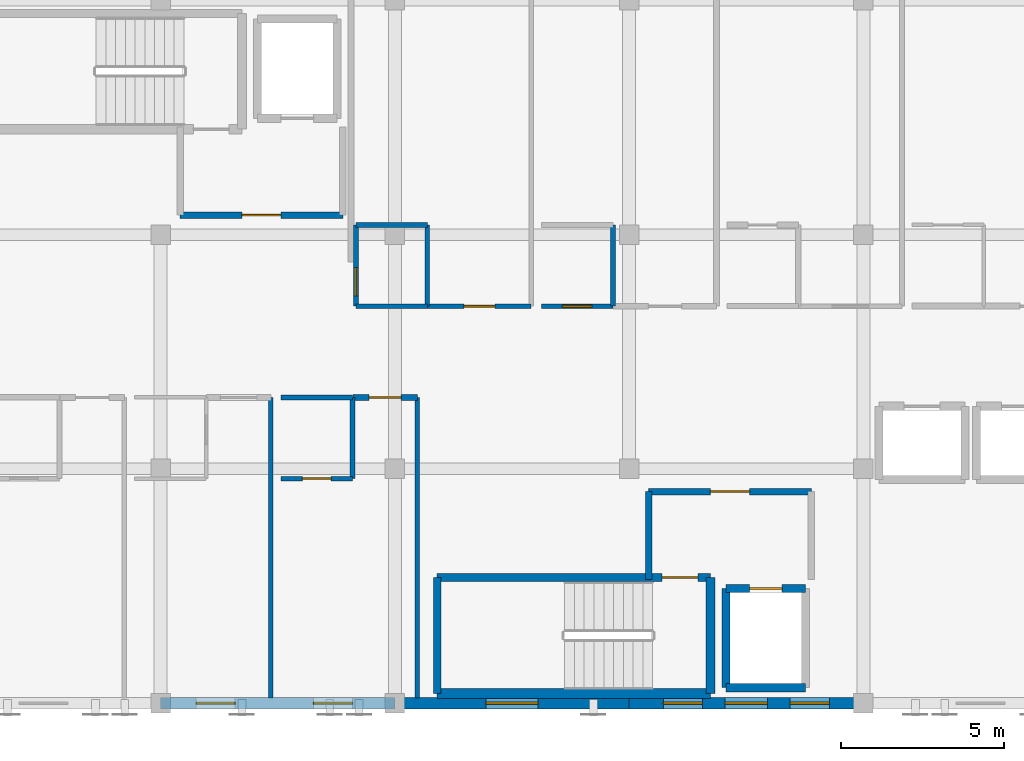
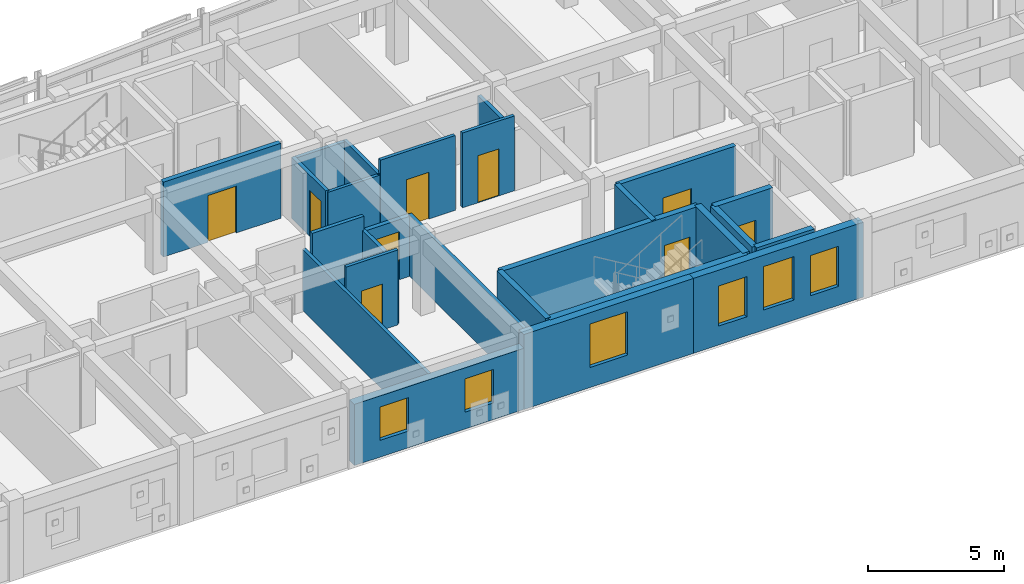
# One storey, part 40 of 51: 26 walls, 9 doors, 6 windows, 15 openings.
"""IFC4 building model written with IfcOpenShell, lengths in metres."""

from ifc_helpers import new_model, si_unit, direction, frame, frame_2d, origin, place, context, subcontext, project, spatial, rectangle, extrude, material, layer, layer_set, type_object, element, fill, save


model = new_model("IFC4")

# Units and contexts
model_context = context("Model", 3, precision=1e-05, world=origin(), true_north=direction((0.0, 1.0)))
body_context = subcontext(model_context, "Body", "Model", "MODEL_VIEW")
ifc_project = project(units=[si_unit("LENGTHUNIT", "METRE"), si_unit("AREAUNIT", "SQUARE_METRE"), si_unit("VOLUMEUNIT", "CUBIC_METRE"), si_unit("PLANEANGLEUNIT", "RADIAN"), si_unit("MASSUNIT", "GRAM", prefix="KILO")], contexts=[model_context])

# Site, building, storey
site_placement = place(None, origin())
site = spatial("IfcSite", under=ifc_project, at=site_placement, CompositionType="ELEMENT")
building_placement = place(site_placement, origin())
building = spatial("IfcBuilding", under=site, at=building_placement, Name="Carrowvane Square Congress Hotel", CompositionType="ELEMENT")
storey_placement = place(building_placement, frame((0.0, 0.0, 30.0)))
storey = spatial("IfcBuildingStorey", under=building, at=storey_placement, Name="L07", CompositionType="ELEMENT", Elevation=30.0)

# Wall, openings, windows
ifc_material_1 = material(Name="Glazed terracotta rainscreen", Category="masonry")
ifc_layer_1 = layer(ifc_material_1, 0.360107421875)
ifc_layer_set_1 = layer_set([ifc_layer_1], Name="Glazed terracotta rainscreen")
wall_type_1 = type_object("IfcWallType", Name="WL-EXT-TC360", PredefinedType="STANDARD", material=ifc_layer_set_1)
wall_1_placement = place(storey_placement, frame((83.60009765625, 91.800048828125, 0.0), z_axis=(0.0, 0.0, 1.0), x_axis=(-1.0, 0.0, 0.0)))
wall_1 = element("IfcWall", 1, at=wall_1_placement, inside=storey, type_object=wall_type_1, Name="L07 exterior facade wall 525", PredefinedType="STANDARD", context=body_context, shape_type="SweptSolid", body=[
    extrude(rectangle(XDim=7.2001953125, YDim=0.360107421875, at=frame_2d((3.60009765625, 0.0))), origin(), (0.0, 0.0, 1.0), 3.360107421875),
])
opening_1_placement = place(wall_1_placement, frame((2.949951171875, 0.0, 0.89990234375)))
opening_1 = element("IfcOpeningElement", 2, at=opening_1_placement, cuts=wall_1, Name="Opening W-29", PredefinedType="OPENING", context=body_context, shape_type="SweptSolid", body=[
    extrude(rectangle(XDim=1.300048828125, YDim=1.949951171875, at=frame_2d((0.64990234375, 0.97509765625))), frame((0.0, 0.18994140625, 0.0), z_axis=(0.0, -1.0, 0.0), x_axis=(1.0, 0.0, 0.0)), (0.0, 0.0, 1.0), 0.380126953125),
])
opening_2_placement = place(wall_1_placement, frame((1.050048828125, 0.0, 0.85009765625)))
opening_2 = element("IfcOpeningElement", 3, at=opening_2_placement, cuts=wall_1, Name="Opening W-01", PredefinedType="OPENING", context=body_context, shape_type="SweptSolid", body=[
    extrude(rectangle(XDim=1.199951171875, YDim=1.800048828125, at=frame_2d((0.60009765625, 0.89990234375))), frame((0.0, 0.18994140625, 0.0), z_axis=(0.0, -1.0, 0.0), x_axis=(1.0, 0.0, 0.0)), (0.0, 0.0, 1.0), 0.380126953125),
])
opening_3_placement = place(wall_1_placement, frame((4.949951171875, 0.0, 0.85009765625)))
opening_3 = element("IfcOpeningElement", 4, at=opening_3_placement, cuts=wall_1, Name="Opening W-01", PredefinedType="OPENING", context=body_context, shape_type="SweptSolid", body=[
    extrude(rectangle(XDim=1.199951171875, YDim=1.800048828125, at=frame_2d((0.60009765625, 0.89990234375))), frame((0.0, 0.18994140625, 0.0), z_axis=(0.0, -1.0, 0.0), x_axis=(1.0, 0.0, 0.0)), (0.0, 0.0, 1.0), 0.380126953125),
])
ifc_material_2 = material(Name="Double-glazed low-E glass", Category="glass")
window_type_1 = type_object("IfcWindowType", Name="WIN-01", PartitioningType="SINGLE_PANEL", PredefinedType="WINDOW", material=ifc_material_2)
window_1_placement = place(opening_2_placement, origin())
window_1 = element("IfcWindow", 5, at=window_1_placement, inside=storey, type_object=window_type_1, Name="L07 guest bedroom window 362", OverallHeight=1.800048828125, OverallWidth=1.199951171875, PartitioningType="SINGLE_PANEL", PredefinedType="WINDOW", context=body_context, shape_type="SweptSolid", body=[
    extrude(rectangle(XDim=1.199951171875, YDim=1.800048828125, at=frame_2d((0.60009765625, 0.89990234375))), frame((0.0, 0.030029296875, 0.0), z_axis=(0.0, -1.0, 0.0), x_axis=(1.0, 0.0, 0.0)), (0.0, 0.0, 1.0), 0.06005859375),
])
fill(opening_2, window_1)
window_2_placement = place(opening_3_placement, origin())
window_2 = element("IfcWindow", 6, at=window_2_placement, inside=storey, type_object=window_type_1, Name="L07 guest bedroom window 363", OverallHeight=1.800048828125, OverallWidth=1.199951171875, PartitioningType="SINGLE_PANEL", PredefinedType="WINDOW", context=body_context, shape_type="SweptSolid", body=[
    extrude(rectangle(XDim=1.199951171875, YDim=1.800048828125, at=frame_2d((0.60009765625, 0.89990234375))), frame((0.0, 0.030029296875, 0.0), z_axis=(0.0, -1.0, 0.0), x_axis=(1.0, 0.0, 0.0)), (0.0, 0.0, 1.0), 0.06005859375),
])
fill(opening_3, window_2)
ifc_material_3 = material(Name="Double-glazed low-E glass", Category="glass")
window_type_2 = type_object("IfcWindowType", Name="WIN-29", PartitioningType="SINGLE_PANEL", PredefinedType="WINDOW", material=ifc_material_3)
window_3_placement = place(opening_1_placement, origin())
window_3 = element("IfcWindow", 7, at=window_3_placement, inside=storey, type_object=window_type_2, Name="L07 facade window 361", OverallHeight=1.949951171875, OverallWidth=1.300048828125, PartitioningType="SINGLE_PANEL", PredefinedType="WINDOW", context=body_context, shape_type="SweptSolid", body=[
    extrude(rectangle(XDim=1.300048828125, YDim=1.949951171875, at=frame_2d((0.64990234375, 0.97509765625))), frame((0.0, 0.030029296875, 0.0), z_axis=(0.0, -1.0, 0.0), x_axis=(1.0, 0.0, 0.0)), (0.0, 0.0, 1.0), 0.06005859375),
])
fill(opening_1, window_3)

# Wall, opening, window
wall_2_placement = place(storey_placement, frame((76.39990234375, 91.800048828125, 0.0), z_axis=(0.0, 0.0, 1.0), x_axis=(-1.0, 0.0, 0.0)))
wall_2 = element("IfcWall", 8, at=wall_2_placement, inside=storey, type_object=wall_type_1, Name="L07 exterior facade wall 526", PredefinedType="STANDARD", context=body_context, shape_type="SweptSolid", body=[
    extrude(rectangle(XDim=7.199951171875, YDim=0.360107421875, at=frame_2d((3.60009765625, 0.0))), origin(), (0.0, 0.0, 1.0), 3.360107421875),
])
opening_4_placement = place(wall_2_placement, frame((2.800048828125, 0.0, 0.89990234375)))
opening_4 = element("IfcOpeningElement", 9, at=opening_4_placement, cuts=wall_2, Name="Opening W-30", PredefinedType="OPENING", context=body_context, shape_type="SweptSolid", body=[
    extrude(rectangle(XDim=1.60009765625, YDim=1.949951171875, at=frame_2d((0.800048828125, 0.97509765625))), frame((0.0, 0.18994140625, 0.0), z_axis=(0.0, -1.0, 0.0), x_axis=(1.0, 0.0, 0.0)), (0.0, 0.0, 1.0), 0.380126953125),
])
ifc_material_4 = material(Name="Double-glazed low-E glass", Category="glass")
window_type_3 = type_object("IfcWindowType", Name="WIN-30", PartitioningType="SINGLE_PANEL", PredefinedType="WINDOW", material=ifc_material_4)
window_4_placement = place(opening_4_placement, origin())
window_4 = element("IfcWindow", 10, at=window_4_placement, inside=storey, type_object=window_type_3, Name="L07 facade window 364", OverallHeight=1.949951171875, OverallWidth=1.60009765625, PartitioningType="SINGLE_PANEL", PredefinedType="WINDOW", context=body_context, shape_type="SweptSolid", body=[
    extrude(rectangle(XDim=1.60009765625, YDim=1.949951171875, at=frame_2d((0.800048828125, 0.97509765625))), frame((0.0, 0.030029296875, 0.0), z_axis=(0.0, -1.0, 0.0), x_axis=(1.0, 0.0, 0.0)), (0.0, 0.0, 1.0), 0.06005859375),
])
fill(opening_4, window_4)

# Wall, openings, windows
wall_3_placement = place(storey_placement, frame((69.199951171875, 91.800048828125, 0.0), z_axis=(0.0, 0.0, 1.0), x_axis=(-1.0, 0.0, 0.0)))
wall_3 = element("IfcWall", 11, at=wall_3_placement, inside=storey, type_object=wall_type_1, Name="L07 exterior facade wall 527", PredefinedType="STANDARD", context=body_context, shape_type="SweptSolid", body=[
    extrude(rectangle(XDim=7.199951171875, YDim=0.360107421875, at=frame_2d((3.60009765625, 0.0))), origin(), (0.0, 0.0, 1.0), 2.7451171875),
])
opening_5_placement = place(wall_3_placement, frame((1.304931640625, 0.0, 0.75)))
opening_5 = element("IfcOpeningElement", 12, at=opening_5_placement, cuts=wall_3, Name="Opening W-01", PredefinedType="OPENING", context=body_context, shape_type="SweptSolid", body=[
    extrude(rectangle(XDim=1.199951171875, YDim=1.5, at=frame_2d((0.60009765625, 0.75))), frame((0.0, 0.18994140625, 0.0), z_axis=(0.0, -1.0, 0.0), x_axis=(1.0, 0.0, 0.0)), (0.0, 0.0, 1.0), 0.380126953125),
])
opening_6_placement = place(wall_3_placement, frame((4.905029296875, 0.0, 0.75)))
opening_6 = element("IfcOpeningElement", 13, at=opening_6_placement, cuts=wall_3, Name="Opening W-01", PredefinedType="OPENING", context=body_context, shape_type="SweptSolid", body=[
    extrude(rectangle(XDim=1.199951171875, YDim=1.5, at=frame_2d((0.60009765625, 0.75))), frame((0.0, 0.18994140625, 0.0), z_axis=(0.0, -1.0, 0.0), x_axis=(1.0, 0.0, 0.0)), (0.0, 0.0, 1.0), 0.380126953125),
])
window_5_placement = place(opening_5_placement, origin())
window_5 = element("IfcWindow", 14, at=window_5_placement, inside=storey, type_object=window_type_1, Name="L07 facade window 366", OverallHeight=1.5, OverallWidth=1.199951171875, PartitioningType="SINGLE_PANEL", PredefinedType="WINDOW", context=body_context, shape_type="SweptSolid", body=[
    extrude(rectangle(XDim=1.199951171875, YDim=1.5, at=frame_2d((0.60009765625, 0.75))), frame((0.0, 0.030029296875, 0.0), z_axis=(0.0, -1.0, 0.0), x_axis=(1.0, 0.0, 0.0)), (0.0, 0.0, 1.0), 0.06005859375),
])
fill(opening_5, window_5)
window_6_placement = place(opening_6_placement, origin())
window_6 = element("IfcWindow", 15, at=window_6_placement, inside=storey, type_object=window_type_1, Name="L07 split-bay facade window WIN-L07-0366-1", OverallHeight=1.5, OverallWidth=1.199951171875, PartitioningType="SINGLE_PANEL", PredefinedType="WINDOW", context=body_context, shape_type="SweptSolid", body=[
    extrude(rectangle(XDim=1.199951171875, YDim=1.5, at=frame_2d((0.60009765625, 0.75))), frame((0.0, 0.030029296875, 0.0), z_axis=(0.0, -1.0, 0.0), x_axis=(1.0, 0.0, 0.0)), (0.0, 0.0, 1.0), 0.06005859375),
])
fill(opening_6, window_6)

# Wall
ifc_material_5 = material(Name="Acoustic gypsum board", Category="gypsum")
ifc_layer_2 = layer(ifc_material_5, 0.155029296875)
ifc_layer_set_2 = layer_set([ifc_layer_2], Name="Acoustic gypsum board")
wall_type_2 = type_object("IfcWallType", Name="WL-FIR-155", PredefinedType="PARTITIONING", material=ifc_layer_set_2)
wall_4_placement = place(storey_placement, frame((65.699951171875, 101.199951171875, 0.0), z_axis=(0.0, 0.0, 1.0), x_axis=(1.0, 0.0, 0.0)))
element("IfcWall", 16, at=wall_4_placement, inside=storey, type_object=wall_type_2, Name="L07 En-suite Bathroom 0706 partition", PredefinedType="PARTITIONING", context=body_context, shape_type="SweptSolid", body=[
    extrude(rectangle(XDim=2.199951171875, YDim=0.155029296875, at=frame_2d((1.10009765625, 0.0))), origin(), (0.0, 0.0, 1.0), 3.360107421875),
])

# Wall, opening, door
wall_5_placement = place(storey_placement, frame((68.0, 104.0, 0.0), z_axis=(0.0, 0.0, 1.0), x_axis=(0.0, 1.0, 0.0)))
wall_5 = element("IfcWall", 17, at=wall_5_placement, inside=storey, type_object=wall_type_2, Name="L07 En-suite Bathroom 0713 partition", PredefinedType="PARTITIONING", context=body_context, shape_type="SweptSolid", body=[
    extrude(rectangle(XDim=2.5, YDim=0.155029296875, at=frame_2d((1.25, 0.0))), origin(), (0.0, 0.0, 1.0), 2.7451171875),
])
opening_7_placement = place(wall_5_placement, frame((0.31494140625, 0.0, 0.0)))
opening_7 = element("IfcOpeningElement", 18, at=opening_7_placement, cuts=wall_5, Name="Opening ID-15", PredefinedType="OPENING", context=body_context, shape_type="SweptSolid", body=[
    extrude(rectangle(XDim=0.8701171875, YDim=2.070068359375, at=frame_2d((0.43505859375, 1.03515625))), frame((0.0, 0.08740234375, 0.0), z_axis=(0.0, -1.0, 0.0), x_axis=(1.0, 0.0, 0.0)), (0.0, 0.0, 1.0), 0.175048828125),
])
ifc_material_6 = material(Name="European oak timber", Category="wood")
door_type_1 = type_object("IfcDoorType", Name="DR-INT-0870x2070", OperationType="NOTDEFINED", PredefinedType="DOOR", material=ifc_material_6)
door_1_placement = place(opening_7_placement, origin())
door_1 = element("IfcDoor", 19, at=door_1_placement, inside=storey, type_object=door_type_1, Name="L07 En-suite Bathroom 0713 door", OperationType="SINGLE_SWING_LEFT", OverallHeight=2.070068359375, OverallWidth=0.8701171875, PredefinedType="DOOR", context=body_context, shape_type="SweptSolid", body=[
    extrude(rectangle(XDim=0.8701171875, YDim=2.070068359375, at=frame_2d((0.43505859375, 1.03515625))), frame((0.0, 0.02490234375, 0.0), z_axis=(0.0, -1.0, 0.0), x_axis=(1.0, 0.0, 0.0)), (0.0, 0.0, 1.0), 0.050048828125),
])
fill(opening_7, door_1)

ifc_material_7 = material(Name="Acoustic gypsum board", Category="gypsum")
ifc_layer_3 = layer(ifc_material_7, 0.18505859375)
ifc_layer_set_3 = layer_set([ifc_layer_3], Name="Acoustic gypsum board")
wall_type_3 = type_object("IfcWallType", Name="WL-FIR-185", PredefinedType="PARTITIONING", material=ifc_layer_set_3)
wall_6_placement = place(storey_placement, frame((67.909912109375, 101.199951171875, 0.0), z_axis=(0.0, 0.0, 1.0), x_axis=(1.0, 0.0, 0.0)))
wall_6 = element("IfcWall", 20, at=wall_6_placement, inside=storey, type_object=wall_type_3, Name="L07 Hotel Guest Bedroom 0706 partition", PredefinedType="PARTITIONING", context=body_context, shape_type="SweptSolid", body=[
    extrude(rectangle(XDim=1.97998046875, YDim=0.18505859375, at=frame_2d((0.989990234375, 0.0))), origin(), (0.0, 0.0, 1.0), 2.695068359375),
])
opening_8_placement = place(wall_6_placement, frame((0.5, 0.0, 0.0)))
opening_8 = element("IfcOpeningElement", 21, at=opening_8_placement, cuts=wall_6, Name="Opening FD-07", PredefinedType="OPENING", context=body_context, shape_type="SweptSolid", body=[
    extrude(rectangle(XDim=0.97998046875, YDim=2.14990234375, at=frame_2d((0.489990234375, 1.074951171875))), frame((0.0, 0.1025390625, 0.0), z_axis=(0.0, -1.0, 0.0), x_axis=(1.0, 0.0, 0.0)), (0.0, 0.0, 1.0), 0.205078125),
])
ifc_material_8 = material(Name="European oak timber", Category="wood")
door_type_2 = type_object("IfcDoorType", Name="DR-FD30-0980x2150", OperationType="NOTDEFINED", PredefinedType="DOOR", material=ifc_material_8)
door_2_placement = place(opening_8_placement, origin())
door_2 = element("IfcDoor", 22, at=door_2_placement, inside=storey, type_object=door_type_2, Name="L07 Hotel Guest Bedroom 0706 entrance door", OperationType="SINGLE_SWING_RIGHT", OverallHeight=2.14990234375, OverallWidth=0.97998046875, PredefinedType="DOOR", context=body_context, shape_type="SweptSolid", body=[
    extrude(rectangle(XDim=0.97998046875, YDim=2.14990234375, at=frame_2d((0.489990234375, 1.074951171875))), frame((0.0, 0.02490234375, 0.0), z_axis=(0.0, -1.0, 0.0), x_axis=(1.0, 0.0, 0.0)), (0.0, 0.0, 1.0), 0.050048828125),
])
fill(opening_8, door_2)

ifc_material_9 = material(Name="Acoustic gypsum board", Category="gypsum")
ifc_layer_4 = layer(ifc_material_9, 0.205078125)
ifc_layer_set_4 = layer_set([ifc_layer_4], Name="Acoustic gypsum board")
wall_type_4 = type_object("IfcWallType", Name="WL-FIR-205", PredefinedType="PARTITIONING", material=ifc_layer_set_4)
wall_7_placement = place(storey_placement, frame((62.60009765625, 106.800048828125, 0.0), z_axis=(0.0, 0.0, 1.0), x_axis=(1.0, 0.0, 0.0)))
wall_7 = element("IfcWall", 23, at=wall_7_placement, inside=storey, type_object=wall_type_4, Name="L07 Firefighting Lobby C1 wall south", PredefinedType="PARTITIONING", context=body_context, shape_type="SweptSolid", body=[
    extrude(rectangle(XDim=5.0, YDim=0.205078125, at=frame_2d((2.5, 0.0))), origin(), (0.0, 0.0, 1.0), 3.360107421875),
])
opening_9_placement = place(wall_7_placement, frame((1.89990234375, 0.0, 0.0)))
opening_9 = element("IfcOpeningElement", 24, at=opening_9_placement, cuts=wall_7, Name="Opening FD-02", PredefinedType="OPENING", context=body_context, shape_type="SweptSolid", body=[
    extrude(rectangle(XDim=1.199951171875, YDim=2.10009765625, at=frame_2d((0.60009765625, 1.050048828125))), frame((0.0, 0.112548828125, 0.0), z_axis=(0.0, -1.0, 0.0), x_axis=(1.0, 0.0, 0.0)), (0.0, 0.0, 1.0), 0.22509765625),
])
ifc_material_10 = material(Name="European oak timber", Category="wood")
door_type_3 = type_object("IfcDoorType", Name="DR-FD60-1200x2100", OperationType="NOTDEFINED", PredefinedType="DOOR", material=ifc_material_10)
door_3_placement = place(opening_9_placement, origin())
door_3 = element("IfcDoor", 25, at=door_3_placement, inside=storey, type_object=door_type_3, Name="L07 Firefighting Lobby C1 entrance door", OperationType="SINGLE_SWING_RIGHT", OverallHeight=2.10009765625, OverallWidth=1.199951171875, PredefinedType="DOOR", context=body_context, shape_type="SweptSolid", body=[
    extrude(rectangle(XDim=1.199951171875, YDim=2.10009765625, at=frame_2d((0.60009765625, 1.050048828125))), frame((0.0, 0.02490234375, 0.0), z_axis=(0.0, -1.0, 0.0), x_axis=(1.0, 0.0, 0.0)), (0.0, 0.0, 1.0), 0.050048828125),
])
fill(opening_9, door_3)

wall_8_placement = place(storey_placement, frame((82.0, 98.300048828125, 0.0), z_axis=(0.0, 0.0, 1.0), x_axis=(-1.0, 0.0, 0.0)))
wall_8 = element("IfcWall", 26, at=wall_8_placement, inside=storey, type_object=wall_type_4, Name="L07 Firefighting Lobby C2 wall north", PredefinedType="PARTITIONING", context=body_context, shape_type="SweptSolid", body=[
    extrude(rectangle(XDim=5.0, YDim=0.205078125, at=frame_2d((2.5, 0.0))), origin(), (0.0, 0.0, 1.0), 3.360107421875),
])
opening_10_placement = place(wall_8_placement, frame((1.89990234375, 0.0, 0.0)))
opening_10 = element("IfcOpeningElement", 27, at=opening_10_placement, cuts=wall_8, Name="Opening FD-02", PredefinedType="OPENING", context=body_context, shape_type="SweptSolid", body=[
    extrude(rectangle(XDim=1.199951171875, YDim=2.10009765625, at=frame_2d((0.60009765625, 1.050048828125))), frame((0.0, 0.112548828125, 0.0), z_axis=(0.0, -1.0, 0.0), x_axis=(1.0, 0.0, 0.0)), (0.0, 0.0, 1.0), 0.22509765625),
])
door_4_placement = place(opening_10_placement, origin())
door_4 = element("IfcDoor", 28, at=door_4_placement, inside=storey, type_object=door_type_3, Name="L07 Firefighting Lobby C2 entrance door", OperationType="SINGLE_SWING_LEFT", OverallHeight=2.10009765625, OverallWidth=1.199951171875, PredefinedType="DOOR", context=body_context, shape_type="SweptSolid", body=[
    extrude(rectangle(XDim=1.199951171875, YDim=2.10009765625, at=frame_2d((0.60009765625, 1.050048828125))), frame((0.0, 0.02490234375, 0.0), z_axis=(0.0, -1.0, 0.0), x_axis=(1.0, 0.0, 0.0)), (0.0, 0.0, 1.0), 0.050048828125),
])
fill(opening_10, door_4)

# Walls
wall_9_placement = place(storey_placement, frame((77.0, 98.300048828125, 0.0), z_axis=(0.0, 0.0, 1.0), x_axis=(0.0, -1.0, 0.0)))
element("IfcWall", 29, at=wall_9_placement, inside=storey, type_object=wall_type_4, Name="L07 Firefighting Lobby C2 wall west", PredefinedType="PARTITIONING", context=body_context, shape_type="SweptSolid", body=[
    extrude(rectangle(XDim=2.699951171875, YDim=0.205078125, at=frame_2d((1.35009765625, 0.0))), origin(), (0.0, 0.0, 1.0), 3.360107421875),
])
ifc_material_11 = material(Name="Acoustic gypsum board", Category="gypsum")
ifc_layer_5 = layer(ifc_material_11, 0.1279296875)
ifc_layer_set_5 = layer_set([ifc_layer_5], Name="Acoustic gypsum board")
wall_type_5 = type_object("IfcWallType", Name="WL-PRT-128", PredefinedType="PARTITIONING", material=ifc_layer_set_5)
wall_10_placement = place(storey_placement, frame((70.199951171875, 104.0, 0.0), z_axis=(0.0, 0.0, 1.0), x_axis=(-1.0, 0.0, 0.0)))
element("IfcWall", 30, at=wall_10_placement, inside=storey, type_object=wall_type_5, Name="L07 En-suite Bathroom 0713 partition", PredefinedType="PARTITIONING", context=body_context, shape_type="SweptSolid", body=[
    extrude(rectangle(XDim=2.199951171875, YDim=0.1279296875, at=frame_2d((1.10009765625, 0.0))), origin(), (0.0, 0.0, 1.0), 2.695068359375),
])
ifc_material_12 = material(Name="Acoustic gypsum board", Category="gypsum")
ifc_layer_6 = layer(ifc_material_12, 0.137939453125)
ifc_layer_set_6 = layer_set([ifc_layer_6], Name="Acoustic gypsum board")
wall_type_6 = type_object("IfcWallType", Name="WL-PRT-138", PredefinedType="PARTITIONING", material=ifc_layer_set_6)
wall_11_placement = place(storey_placement, frame((65.389892578125, 101.199951171875, 0.0), z_axis=(0.0, 0.0, 1.0), x_axis=(0.0, -1.0, 0.0)))
element("IfcWall", 31, at=wall_11_placement, inside=storey, type_object=wall_type_6, Name="L07 Hotel Guest Bedroom 0705 partition", PredefinedType="PARTITIONING", context=body_context, shape_type="SweptSolid", body=[
    extrude(rectangle(XDim=9.239990234375, YDim=0.137939453125, at=frame_2d((4.6201171875, 0.0))), origin(), (0.0, 0.0, 1.0), 2.7451171875),
])

# Wall, opening, door
wall_12_placement = place(storey_placement, frame((67.89990234375, 98.699951171875, 0.0), z_axis=(0.0, 0.0, 1.0), x_axis=(-1.0, 0.0, 0.0)))
wall_12 = element("IfcWall", 32, at=wall_12_placement, inside=storey, type_object=wall_type_6, Name="L07 En-suite Bathroom 0706 partition", PredefinedType="PARTITIONING", context=body_context, shape_type="SweptSolid", body=[
    extrude(rectangle(XDim=2.199951171875, YDim=0.137939453125, at=frame_2d((1.10009765625, 0.0))), origin(), (0.0, 0.0, 1.0), 3.360107421875),
])
opening_11_placement = place(wall_12_placement, frame((0.659912109375, 0.0, 0.0)))
opening_11 = element("IfcOpeningElement", 33, at=opening_11_placement, cuts=wall_12, Name="Opening ID-01", PredefinedType="OPENING", context=body_context, shape_type="SweptSolid", body=[
    extrude(rectangle(XDim=0.8798828125, YDim=2.06005859375, at=frame_2d((0.43994140625, 1.030029296875))), frame((0.0, 0.078857421875, 0.0), z_axis=(0.0, -1.0, 0.0), x_axis=(1.0, 0.0, 0.0)), (0.0, 0.0, 1.0), 0.157958984375),
])
ifc_material_13 = material(Name="European oak timber", Category="wood")
door_type_4 = type_object("IfcDoorType", Name="DR-INT-0880x2060", OperationType="NOTDEFINED", PredefinedType="DOOR", material=ifc_material_13)
door_5_placement = place(opening_11_placement, origin())
door_5 = element("IfcDoor", 34, at=door_5_placement, inside=storey, type_object=door_type_4, Name="L07 En-suite Bathroom 0706 door", OperationType="SINGLE_SWING_LEFT", OverallHeight=2.06005859375, OverallWidth=0.8798828125, PredefinedType="DOOR", context=body_context, shape_type="SweptSolid", body=[
    extrude(rectangle(XDim=0.8798828125, YDim=2.06005859375, at=frame_2d((0.43994140625, 1.030029296875))), frame((0.0, 0.02490234375, 0.0), z_axis=(0.0, -1.0, 0.0), x_axis=(1.0, 0.0, 0.0)), (0.0, 0.0, 1.0), 0.050048828125),
])
fill(opening_11, door_5)

# Walls
wall_13_placement = place(storey_placement, frame((69.889892578125, 101.199951171875, 0.0), z_axis=(0.0, 0.0, 1.0), x_axis=(0.0, -1.0, 0.0)))
element("IfcWall", 35, at=wall_13_placement, inside=storey, type_object=wall_type_6, Name="L07 Hotel Guest Bedroom 0706 partition", PredefinedType="PARTITIONING", context=body_context, shape_type="SweptSolid", body=[
    extrude(rectangle(XDim=9.239990234375, YDim=0.137939453125, at=frame_2d((4.6201171875, 0.0))), origin(), (0.0, 0.0, 1.0), 2.7451171875),
])
wall_14_placement = place(storey_placement, frame((70.199951171875, 106.5, 0.0), z_axis=(0.0, 0.0, 1.0), x_axis=(0.0, -1.0, 0.0)))
element("IfcWall", 36, at=wall_14_placement, inside=storey, type_object=wall_type_6, Name="L07 En-suite Bathroom 0713 partition", PredefinedType="PARTITIONING", context=body_context, shape_type="SweptSolid", body=[
    extrude(rectangle(XDim=2.5, YDim=0.137939453125, at=frame_2d((1.25, 0.0))), origin(), (0.0, 0.0, 1.0), 2.7451171875),
])

# Wall, opening, door
wall_15_placement = place(storey_placement, frame((73.389892578125, 104.0, 0.0), z_axis=(0.0, 0.0, 1.0), x_axis=(-1.0, 0.0, 0.0)))
wall_15 = element("IfcWall", 37, at=wall_15_placement, inside=storey, type_object=wall_type_6, Name="L07 Parkview Suite 0713 partition", PredefinedType="PARTITIONING", context=body_context, shape_type="SweptSolid", body=[
    extrude(rectangle(XDim=3.179931640625, YDim=0.137939453125, at=frame_2d((1.58984375, 0.0))), origin(), (0.0, 0.0, 1.0), 3.360107421875),
])
opening_12_placement = place(wall_15_placement, frame((1.114990234375, 0.0, 0.0)))
opening_12 = element("IfcOpeningElement", 38, at=opening_12_placement, cuts=wall_15, Name="Opening FD-06", PredefinedType="OPENING", context=body_context, shape_type="SweptSolid", body=[
    extrude(rectangle(XDim=0.949951171875, YDim=2.10009765625, at=frame_2d((0.47509765625, 1.050048828125))), frame((0.0, 0.078857421875, 0.0), z_axis=(0.0, -1.0, 0.0), x_axis=(1.0, 0.0, 0.0)), (0.0, 0.0, 1.0), 0.157958984375),
])
ifc_material_14 = material(Name="European oak timber", Category="wood")
door_type_5 = type_object("IfcDoorType", Name="DR-FD30-0950x2100", OperationType="NOTDEFINED", PredefinedType="DOOR", material=ifc_material_14)
door_6_placement = place(opening_12_placement, origin())
door_6 = element("IfcDoor", 39, at=door_6_placement, inside=storey, type_object=door_type_5, Name="L07 Parkview Suite 0713 entrance door", OperationType="SINGLE_SWING_RIGHT", OverallHeight=2.10009765625, OverallWidth=0.949951171875, PredefinedType="DOOR", context=body_context, shape_type="SweptSolid", body=[
    extrude(rectangle(XDim=0.949951171875, YDim=2.10009765625, at=frame_2d((0.47509765625, 1.050048828125))), frame((0.0, 0.02490234375, 0.0), z_axis=(0.0, -1.0, 0.0), x_axis=(1.0, 0.0, 0.0)), (0.0, 0.0, 1.0), 0.050048828125),
])
fill(opening_12, door_6)

wall_16_placement = place(storey_placement, frame((75.89990234375, 104.0, 0.0), z_axis=(0.0, 0.0, 1.0), x_axis=(-1.0, 0.0, 0.0)))
wall_16 = element("IfcWall", 40, at=wall_16_placement, inside=storey, type_object=wall_type_6, Name="L07 En-suite Bathroom 0714 partition", PredefinedType="PARTITIONING", context=body_context, shape_type="SweptSolid", body=[
    extrude(rectangle(XDim=2.199951171875, YDim=0.137939453125, at=frame_2d((1.10009765625, 0.0))), origin(), (0.0, 0.0, 1.0), 3.360107421875),
])
opening_13_placement = place(wall_16_placement, frame((0.64501953125, 0.0, 0.0)))
opening_13 = element("IfcOpeningElement", 41, at=opening_13_placement, cuts=wall_16, Name="Opening ID-17", PredefinedType="OPENING", context=body_context, shape_type="SweptSolid", body=[
    extrude(rectangle(XDim=0.909912109375, YDim=2.110107421875, at=frame_2d((0.455078125, 1.05517578125))), frame((0.0, 0.078857421875, 0.0), z_axis=(0.0, -1.0, 0.0), x_axis=(1.0, 0.0, 0.0)), (0.0, 0.0, 1.0), 0.157958984375),
])
ifc_material_15 = material(Name="European oak timber", Category="wood")
door_type_6 = type_object("IfcDoorType", Name="DR-INT-0910x2110", OperationType="NOTDEFINED", PredefinedType="DOOR", material=ifc_material_15)
door_7_placement = place(opening_13_placement, origin())
door_7 = element("IfcDoor", 42, at=door_7_placement, inside=storey, type_object=door_type_6, Name="L07 En-suite Bathroom 0714 door", OperationType="SINGLE_SWING_LEFT", OverallHeight=2.110107421875, OverallWidth=0.909912109375, PredefinedType="DOOR", context=body_context, shape_type="SweptSolid", body=[
    extrude(rectangle(XDim=0.909912109375, YDim=2.110107421875, at=frame_2d((0.455078125, 1.05517578125))), frame((0.0, 0.02490234375, 0.0), z_axis=(0.0, -1.0, 0.0), x_axis=(1.0, 0.0, 0.0)), (0.0, 0.0, 1.0), 0.050048828125),
])
fill(opening_13, door_7)

# Walls
ifc_material_16 = material(Name="Acoustic gypsum board", Category="gypsum")
ifc_layer_7 = layer(ifc_material_16, 0.14794921875)
ifc_layer_set_7 = layer_set([ifc_layer_7], Name="Acoustic gypsum board")
wall_type_7 = type_object("IfcWallType", Name="WL-PRT-148", PredefinedType="PARTITIONING", material=ifc_layer_set_7)
wall_17_placement = place(storey_placement, frame((67.89990234375, 101.199951171875, 0.0), z_axis=(0.0, 0.0, 1.0), x_axis=(0.0, -1.0, 0.0)))
element("IfcWall", 43, at=wall_17_placement, inside=storey, type_object=wall_type_7, Name="L07 En-suite Bathroom 0706 partition", PredefinedType="PARTITIONING", context=body_context, shape_type="SweptSolid", body=[
    extrude(rectangle(XDim=2.5, YDim=0.14794921875, at=frame_2d((1.25, 0.0))), origin(), (0.0, 0.0, 1.0), 2.7451171875),
])
wall_18_placement = place(storey_placement, frame((68.0, 106.5, 0.0), z_axis=(0.0, 0.0, 1.0), x_axis=(1.0, 0.0, 0.0)))
element("IfcWall", 44, at=wall_18_placement, inside=storey, type_object=wall_type_7, Name="L07 En-suite Bathroom 0713 partition", PredefinedType="PARTITIONING", context=body_context, shape_type="SweptSolid", body=[
    extrude(rectangle(XDim=2.199951171875, YDim=0.14794921875, at=frame_2d((1.10009765625, 0.0))), origin(), (0.0, 0.0, 1.0), 2.695068359375),
])
wall_19_placement = place(storey_placement, frame((75.89990234375, 106.5, 0.0), z_axis=(0.0, 0.0, 1.0), x_axis=(0.0, -1.0, 0.0)))
element("IfcWall", 45, at=wall_19_placement, inside=storey, type_object=wall_type_7, Name="L07 En-suite Bathroom 0714 partition", PredefinedType="PARTITIONING", context=body_context, shape_type="SweptSolid", body=[
    extrude(rectangle(XDim=2.5, YDim=0.14794921875, at=frame_2d((1.25, 0.0))), origin(), (0.0, 0.0, 1.0), 2.7451171875),
])
ifc_material_17 = material(Name="Concrete C40/50", Category="concrete")
ifc_layer_8 = layer(ifc_material_17, 0.22509765625)
ifc_layer_set_8 = layer_set([ifc_layer_8], Name="Concrete C40/50")
wall_type_8 = type_object("IfcWallType", Name="WL-SHR-225", PredefinedType="SHEAR", material=ifc_layer_set_8)
wall_20_placement = place(storey_placement, frame((70.5, 95.659912109375, 0.0), z_axis=(0.0, 0.0, 1.0), x_axis=(0.0, -1.0, 0.0)))
element("IfcWall", 46, at=wall_20_placement, inside=storey, type_object=wall_type_8, Name="L07 ST2 core wall west", PredefinedType="SHEAR", context=body_context, shape_type="SweptSolid", body=[
    extrude(rectangle(XDim=3.559814453125, YDim=0.22509765625, at=frame_2d((1.77978515625, 0.0))), origin(), (0.0, 0.0, 1.0), 3.360107421875),
])

# Wall, opening, door
ifc_material_18 = material(Name="Concrete C40/50", Category="concrete")
ifc_layer_9 = layer(ifc_material_18, 0.25)
ifc_layer_set_9 = layer_set([ifc_layer_9], Name="Concrete C40/50")
wall_type_9 = type_object("IfcWallType", Name="WL-SHR-250", PredefinedType="SHEAR", material=ifc_layer_set_9)
wall_21_placement = place(storey_placement, frame((78.89990234375, 95.659912109375, 0.0), z_axis=(0.0, 0.0, 1.0), x_axis=(-1.0, 0.0, 0.0)))
wall_21 = element("IfcWall", 47, at=wall_21_placement, inside=storey, type_object=wall_type_9, Name="L07 ST2 core wall north", PredefinedType="SHEAR", context=body_context, shape_type="SweptSolid", body=[
    extrude(rectangle(XDim=8.39990234375, YDim=0.25, at=frame_2d((4.199951171875, 0.0))), origin(), (0.0, 0.0, 1.0), 3.360107421875),
])
opening_14_placement = place(wall_21_placement, frame((0.389892578125, 0.0, 0.0)))
opening_14 = element("IfcOpeningElement", 48, at=opening_14_placement, cuts=wall_21, Name="Opening FD-01", PredefinedType="OPENING", context=body_context, shape_type="SweptSolid", body=[
    extrude(rectangle(XDim=1.10009765625, YDim=2.10009765625, at=frame_2d((0.550048828125, 1.050048828125))), frame((0.0, 0.135009765625, 0.0), z_axis=(0.0, -1.0, 0.0), x_axis=(1.0, 0.0, 0.0)), (0.0, 0.0, 1.0), 0.27001953125),
])
ifc_material_19 = material(Name="European oak timber", Category="wood")
door_type_7 = type_object("IfcDoorType", Name="DR-FD60-1100x2100", OperationType="NOTDEFINED", PredefinedType="DOOR", material=ifc_material_19)
door_8_placement = place(opening_14_placement, origin())
door_8 = element("IfcDoor", 49, at=door_8_placement, inside=storey, type_object=door_type_7, Name="L07 ST2 fire door", OperationType="SINGLE_SWING_RIGHT", OverallHeight=2.10009765625, OverallWidth=1.10009765625, PredefinedType="DOOR", context=body_context, shape_type="SweptSolid", body=[
    extrude(rectangle(XDim=1.10009765625, YDim=2.10009765625, at=frame_2d((0.550048828125, 1.050048828125))), frame((0.0, 0.02490234375, 0.0), z_axis=(0.0, -1.0, 0.0), x_axis=(1.0, 0.0, 0.0)), (0.0, 0.0, 1.0), 0.050048828125),
])
fill(opening_14, door_8)

# Wall
wall_22_placement = place(storey_placement, frame((79.375, 92.27490234375, 0.0), z_axis=(0.0, 0.0, 1.0), x_axis=(1.0, 0.0, 0.0)))
element("IfcWall", 50, at=wall_22_placement, inside=storey, type_object=wall_type_9, Name="L07 FFL-2 shaft wall south", PredefinedType="SHEAR", context=body_context, shape_type="SweptSolid", body=[
    extrude(rectangle(XDim=2.449951171875, YDim=0.25, at=frame_2d((1.22509765625, 0.0))), origin(), (0.0, 0.0, 1.0), 3.360107421875),
])

# Wall, opening, door
wall_23_placement = place(storey_placement, frame((81.824951171875, 95.324951171875, 0.0), z_axis=(0.0, 0.0, 1.0), x_axis=(-1.0, 0.0, 0.0)))
wall_23 = element("IfcWall", 51, at=wall_23_placement, inside=storey, type_object=wall_type_9, Name="L07 FFL-2 shaft wall north", PredefinedType="SHEAR", context=body_context, shape_type="SweptSolid", body=[
    extrude(rectangle(XDim=2.449951171875, YDim=0.25, at=frame_2d((1.22509765625, 0.0))), origin(), (0.0, 0.0, 1.0), 3.360107421875),
])
opening_15_placement = place(wall_23_placement, frame((0.72509765625, 0.0, 0.0)))
opening_15 = element("IfcOpeningElement", 52, at=opening_15_placement, cuts=wall_23, Name="Opening LD-FFL-2", PredefinedType="OPENING", context=body_context, shape_type="SweptSolid", body=[
    extrude(rectangle(XDim=1.0, YDim=2.14990234375, at=frame_2d((0.5, 1.074951171875))), frame((0.0, 0.135009765625, 0.0), z_axis=(0.0, -1.0, 0.0), x_axis=(1.0, 0.0, 0.0)), (0.0, 0.0, 1.0), 0.27001953125),
])
ifc_material_20 = material(Name="Stainless steel 316", Category="steel")
door_type_8 = type_object("IfcDoorType", Name="DR-LD-1000x2150", OperationType="DOUBLE_DOOR_SLIDING", PredefinedType="DOOR", material=ifc_material_20)
door_9_placement = place(opening_15_placement, origin())
door_9 = element("IfcDoor", 53, at=door_9_placement, inside=storey, type_object=door_type_8, Name="L07 FFL-2 sliding lift landing door", OperationType="DOUBLE_DOOR_SLIDING", OverallHeight=2.14990234375, OverallWidth=1.0, PredefinedType="DOOR", context=body_context, shape_type="SweptSolid", body=[
    extrude(rectangle(XDim=1.0, YDim=2.14990234375, at=frame_2d((0.5, 1.074951171875))), frame((0.0, 0.02490234375, 0.0), z_axis=(0.0, -1.0, 0.0), x_axis=(1.0, 0.0, 0.0)), (0.0, 0.0, 1.0), 0.050048828125),
])
fill(opening_15, door_9)

# Walls
wall_24_placement = place(storey_placement, frame((79.375, 95.324951171875, 0.0), z_axis=(0.0, 0.0, 1.0), x_axis=(0.0, -1.0, 0.0)))
element("IfcWall", 54, at=wall_24_placement, inside=storey, type_object=wall_type_9, Name="L07 FFL-2 shaft wall west", PredefinedType="SHEAR", context=body_context, shape_type="SweptSolid", body=[
    extrude(rectangle(XDim=3.050048828125, YDim=0.25, at=frame_2d((1.52490234375, 0.0))), origin(), (0.0, 0.0, 1.0), 3.360107421875),
])
ifc_material_21 = material(Name="Concrete C40/50", Category="concrete")
ifc_layer_10 = layer(ifc_material_21, 0.27490234375)
ifc_layer_set_10 = layer_set([ifc_layer_10], Name="Concrete C40/50")
wall_type_10 = type_object("IfcWallType", Name="WL-SHR-275", PredefinedType="SHEAR", material=ifc_layer_set_10)
wall_25_placement = place(storey_placement, frame((78.89990234375, 92.10009765625, 0.0), z_axis=(0.0, 0.0, 1.0), x_axis=(0.0, 1.0, 0.0)))
element("IfcWall", 55, at=wall_25_placement, inside=storey, type_object=wall_type_10, Name="L07 ST2 core wall east", PredefinedType="SHEAR", context=body_context, shape_type="SweptSolid", body=[
    extrude(rectangle(XDim=3.559814453125, YDim=0.27490234375, at=frame_2d((1.77978515625, 0.0))), origin(), (0.0, 0.0, 1.0), 3.360107421875),
])
ifc_material_22 = material(Name="Concrete C40/50", Category="concrete")
ifc_layer_11 = layer(ifc_material_22, 0.300048828125)
ifc_layer_set_11 = layer_set([ifc_layer_11], Name="Concrete C40/50")
wall_type_11 = type_object("IfcWallType", Name="WL-SHR-300", PredefinedType="SHEAR", material=ifc_layer_set_11)
wall_26_placement = place(storey_placement, frame((70.5, 92.10009765625, 0.0), z_axis=(0.0, 0.0, 1.0), x_axis=(1.0, 0.0, 0.0)))
element("IfcWall", 56, at=wall_26_placement, inside=storey, type_object=wall_type_11, Name="L07 ST2 core wall south", PredefinedType="SHEAR", context=body_context, shape_type="SweptSolid", body=[
    extrude(rectangle(XDim=8.39990234375, YDim=0.300048828125, at=frame_2d((4.199951171875, 0.0))), origin(), (0.0, 0.0, 1.0), 3.360107421875),
])

save(model, "model.ifc")
